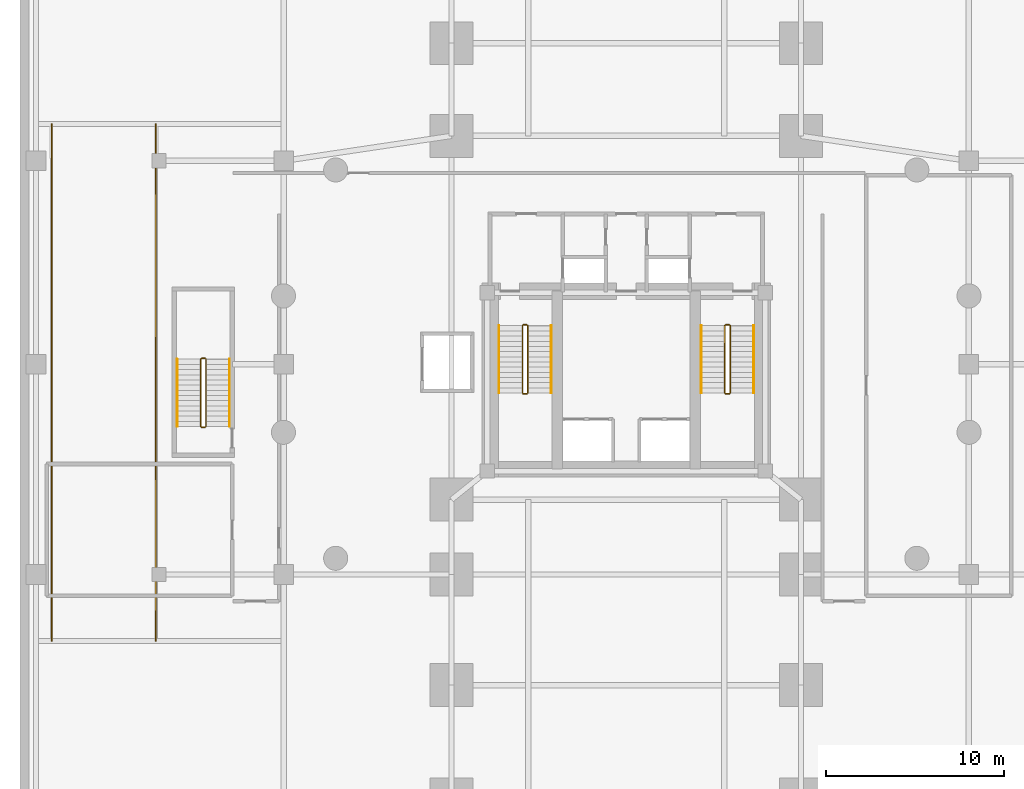
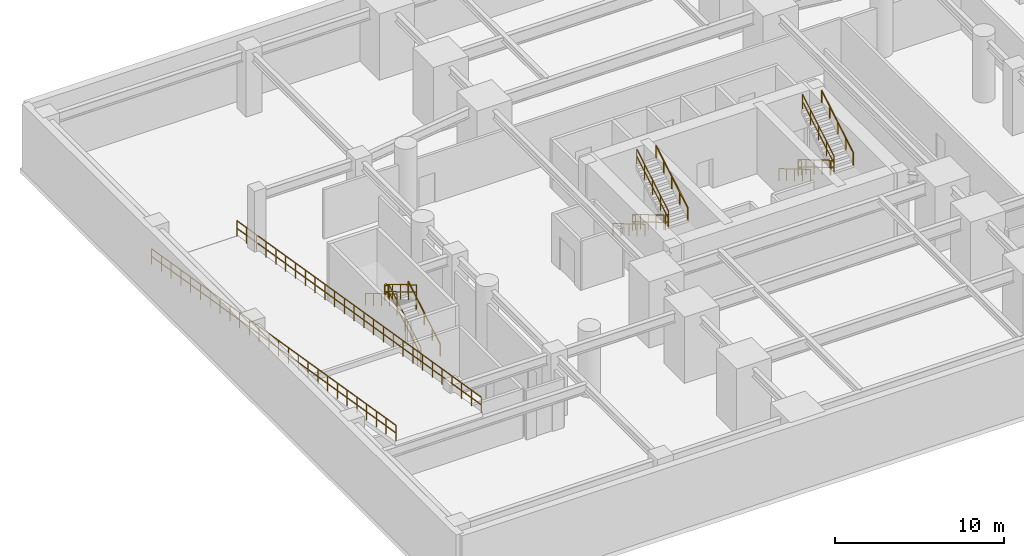
# One storey, part 6 of 7: 20 railings.
"""IFC4 building model written with IfcOpenShell, lengths in metres."""

from ifc_helpers import new_model, si_unit, direction, frame, origin, origin_2d, place, context, subcontext, project, spatial, rectangle, extrude, material, type_object, element, save


model = new_model("IFC4")

# Units and contexts
model_context = context("Model", 3, precision=1e-05, world=origin(), true_north=direction((0.0, 1.0)))
body_context = subcontext(model_context, "Body", "Model", "MODEL_VIEW")
ifc_project = project(units=[si_unit("LENGTHUNIT", "METRE"), si_unit("AREAUNIT", "SQUARE_METRE"), si_unit("VOLUMEUNIT", "CUBIC_METRE"), si_unit("PLANEANGLEUNIT", "RADIAN"), si_unit("MASSUNIT", "GRAM", prefix="KILO"), si_unit("THERMODYNAMICTEMPERATUREUNIT", "KELVIN"), si_unit("POWERUNIT", "WATT")], contexts=[model_context])

# Site, building, storey
site_placement = place(None, origin())
site = spatial("IfcSite", under=ifc_project, at=site_placement, CompositionType="ELEMENT")
building_placement = place(site_placement, origin())
building = spatial("IfcBuilding", under=site, at=building_placement, Name="Ocrelia Relay Tower", CompositionType="ELEMENT")
storey_placement = place(building_placement, frame((0.0, 0.0, -4.800048828125)))
storey = spatial("IfcBuildingStorey", under=building, at=storey_placement, Name="B1", CompositionType="ELEMENT", Elevation=-4.800048828125)

# Railings
ifc_material_1 = material(Name="Steel S355 atrium balustrade", Category="steel")
railing_type_1 = type_object("IfcRailingType", Name="RL-INT-GUARD-115", PredefinedType="GUARDRAIL", material=ifc_material_1)
railing_1_placement = place(storey_placement, frame((1.780029296875, 39.469970703125, 0.0)))
element("IfcRailing", 1, at=railing_1_placement, inside=storey, type_object=railing_type_1, Name="B1 Vehicle Ramp Curb Guard W", PredefinedType="GUARDRAIL", context=body_context, shape_type="SweptSolid", body=[
    extrude(rectangle(XDim=0.048095703125, YDim=0.048095703125, at=origin_2d()), frame((0.0, 0.0, 1.1259765625), z_axis=(0.0, -0.986576930502, 0.163297153073), x_axis=(1.0, 0.0, 0.0)), (0.0, 0.0, 1.0), 29.39453125),
    extrude(rectangle(XDim=0.048095703125, YDim=0.048095703125, at=origin_2d()), frame((0.0, 0.0, 0.574951171875), z_axis=(0.0, -0.986576930502, 0.163297153073), x_axis=(1.0, 0.0, 0.0)), (0.0, 0.0, 1.0), 29.39453125),
    extrude(rectangle(XDim=0.0419921875, YDim=0.0419921875, at=origin_2d()), origin(), (0.0, 0.0, 1.0), 1.101806640625),
    extrude(rectangle(XDim=0.0419921875, YDim=0.0419921875, at=origin_2d()), frame((0.0, -1.159912109375, 0.19189453125)), (0.0, 0.0, 1.0), 1.101806640625),
    extrude(rectangle(XDim=0.0419921875, YDim=0.0419921875, at=origin_2d()), frame((0.0, -2.320068359375, 0.384033203125)), (0.0, 0.0, 1.0), 1.101806640625),
    extrude(rectangle(XDim=0.0419921875, YDim=0.0419921875, at=origin_2d()), frame((0.0, -3.47998046875, 0.575927734375)), (0.0, 0.0, 1.0), 1.101806640625),
    extrude(rectangle(XDim=0.0419921875, YDim=0.0419921875, at=origin_2d()), frame((0.0, -4.639892578125, 0.76806640625)), (0.0, 0.0, 1.0), 1.101806640625),
    extrude(rectangle(XDim=0.0419921875, YDim=0.0419921875, at=origin_2d()), frame((0.0, -5.800048828125, 0.9599609375)), (0.0, 0.0, 1.0), 1.101806640625),
    extrude(rectangle(XDim=0.0419921875, YDim=0.0419921875, at=origin_2d()), frame((0.0, -6.9599609375, 1.152099609375)), (0.0, 0.0, 1.0), 1.101806640625),
    extrude(rectangle(XDim=0.0419921875, YDim=0.0419921875, at=origin_2d()), frame((0.0, -8.1201171875, 1.343994140625)), (0.0, 0.0, 1.0), 1.101806640625),
    extrude(rectangle(XDim=0.0419921875, YDim=0.0419921875, at=origin_2d()), frame((0.0, -9.280029296875, 1.5361328125)), (0.0, 0.0, 1.0), 1.101806640625),
    extrude(rectangle(XDim=0.0419921875, YDim=0.0419921875, at=origin_2d()), frame((0.0, -10.43994140625, 1.72802734375)), (0.0, 0.0, 1.0), 1.101806640625),
    extrude(rectangle(XDim=0.0419921875, YDim=0.0419921875, at=origin_2d()), frame((0.0, -11.60009765625, 1.919921875)), (0.0, 0.0, 1.0), 1.101806640625),
    extrude(rectangle(XDim=0.0419921875, YDim=0.0419921875, at=origin_2d()), frame((0.0, -12.760009765625, 2.112060546875)), (0.0, 0.0, 1.0), 1.101806640625),
    extrude(rectangle(XDim=0.0419921875, YDim=0.0419921875, at=origin_2d()), frame((0.0, -13.919921875, 2.303955078125)), (0.0, 0.0, 1.0), 1.101806640625),
    extrude(rectangle(XDim=0.0419921875, YDim=0.0419921875, at=origin_2d()), frame((0.0, -15.080078125, 2.49609375)), (0.0, 0.0, 1.0), 1.101806640625),
    extrude(rectangle(XDim=0.0419921875, YDim=0.0419921875, at=origin_2d()), frame((0.0, -16.239990234375, 2.68798828125)), (0.0, 0.0, 1.0), 1.101806640625),
    extrude(rectangle(XDim=0.0419921875, YDim=0.0419921875, at=origin_2d()), frame((0.0, -17.39990234375, 2.880126953125)), (0.0, 0.0, 1.0), 1.101806640625),
    extrude(rectangle(XDim=0.0419921875, YDim=0.0419921875, at=origin_2d()), frame((0.0, -18.56005859375, 3.072021484375)), (0.0, 0.0, 1.0), 1.101806640625),
    extrude(rectangle(XDim=0.0419921875, YDim=0.0419921875, at=origin_2d()), frame((0.0, -19.719970703125, 3.263916015625)), (0.0, 0.0, 1.0), 1.101806640625),
    extrude(rectangle(XDim=0.0419921875, YDim=0.0419921875, at=origin_2d()), frame((0.0, -20.8798828125, 3.4560546875)), (0.0, 0.0, 1.0), 1.101806640625),
    extrude(rectangle(XDim=0.0419921875, YDim=0.0419921875, at=origin_2d()), frame((0.0, -22.0400390625, 3.64794921875)), (0.0, 0.0, 1.0), 1.101806640625),
    extrude(rectangle(XDim=0.0419921875, YDim=0.0419921875, at=origin_2d()), frame((0.0, -23.199951171875, 3.840087890625)), (0.0, 0.0, 1.0), 1.101806640625),
    extrude(rectangle(XDim=0.0419921875, YDim=0.0419921875, at=origin_2d()), frame((0.0, -24.360107421875, 4.031982421875)), (0.0, 0.0, 1.0), 1.101806640625),
    extrude(rectangle(XDim=0.0419921875, YDim=0.0419921875, at=origin_2d()), frame((0.0, -25.52001953125, 4.22412109375)), (0.0, 0.0, 1.0), 1.101806640625),
    extrude(rectangle(XDim=0.0419921875, YDim=0.0419921875, at=origin_2d()), frame((0.0, -26.679931640625, 4.416015625)), (0.0, 0.0, 1.0), 1.101806640625),
    extrude(rectangle(XDim=0.0419921875, YDim=0.0419921875, at=origin_2d()), frame((0.0, -27.840087890625, 4.608154296875)), (0.0, 0.0, 1.0), 1.101806640625),
    extrude(rectangle(XDim=0.0419921875, YDim=0.0419921875, at=origin_2d()), frame((0.0, -29.0, 4.800048828125)), (0.0, 0.0, 1.0), 1.101806640625),
])
railing_2_placement = place(storey_placement, frame((7.6201171875, 39.469970703125, 0.0)))
element("IfcRailing", 2, at=railing_2_placement, inside=storey, type_object=railing_type_1, Name="B1 Vehicle Ramp Curb Guard E", PredefinedType="GUARDRAIL", context=body_context, shape_type="SweptSolid", body=[
    extrude(rectangle(XDim=0.048095703125, YDim=0.048095703125, at=origin_2d()), frame((0.0, 0.0, 1.1259765625), z_axis=(0.0, -0.986576930502, 0.163297153073), x_axis=(1.0, 0.0, 0.0)), (0.0, 0.0, 1.0), 29.39453125),
    extrude(rectangle(XDim=0.048095703125, YDim=0.048095703125, at=origin_2d()), frame((0.0, 0.0, 0.574951171875), z_axis=(0.0, -0.986576930502, 0.163297153073), x_axis=(1.0, 0.0, 0.0)), (0.0, 0.0, 1.0), 29.39453125),
    extrude(rectangle(XDim=0.0419921875, YDim=0.0419921875, at=origin_2d()), origin(), (0.0, 0.0, 1.0), 1.101806640625),
    extrude(rectangle(XDim=0.0419921875, YDim=0.0419921875, at=origin_2d()), frame((0.0, -1.159912109375, 0.19189453125)), (0.0, 0.0, 1.0), 1.101806640625),
    extrude(rectangle(XDim=0.0419921875, YDim=0.0419921875, at=origin_2d()), frame((0.0, -2.320068359375, 0.384033203125)), (0.0, 0.0, 1.0), 1.101806640625),
    extrude(rectangle(XDim=0.0419921875, YDim=0.0419921875, at=origin_2d()), frame((0.0, -3.47998046875, 0.575927734375)), (0.0, 0.0, 1.0), 1.101806640625),
    extrude(rectangle(XDim=0.0419921875, YDim=0.0419921875, at=origin_2d()), frame((0.0, -4.639892578125, 0.76806640625)), (0.0, 0.0, 1.0), 1.101806640625),
    extrude(rectangle(XDim=0.0419921875, YDim=0.0419921875, at=origin_2d()), frame((0.0, -5.800048828125, 0.9599609375)), (0.0, 0.0, 1.0), 1.101806640625),
    extrude(rectangle(XDim=0.0419921875, YDim=0.0419921875, at=origin_2d()), frame((0.0, -6.9599609375, 1.152099609375)), (0.0, 0.0, 1.0), 1.101806640625),
    extrude(rectangle(XDim=0.0419921875, YDim=0.0419921875, at=origin_2d()), frame((0.0, -8.1201171875, 1.343994140625)), (0.0, 0.0, 1.0), 1.101806640625),
    extrude(rectangle(XDim=0.0419921875, YDim=0.0419921875, at=origin_2d()), frame((0.0, -9.280029296875, 1.5361328125)), (0.0, 0.0, 1.0), 1.101806640625),
    extrude(rectangle(XDim=0.0419921875, YDim=0.0419921875, at=origin_2d()), frame((0.0, -10.43994140625, 1.72802734375)), (0.0, 0.0, 1.0), 1.101806640625),
    extrude(rectangle(XDim=0.0419921875, YDim=0.0419921875, at=origin_2d()), frame((0.0, -11.60009765625, 1.919921875)), (0.0, 0.0, 1.0), 1.101806640625),
    extrude(rectangle(XDim=0.0419921875, YDim=0.0419921875, at=origin_2d()), frame((0.0, -12.760009765625, 2.112060546875)), (0.0, 0.0, 1.0), 1.101806640625),
    extrude(rectangle(XDim=0.0419921875, YDim=0.0419921875, at=origin_2d()), frame((0.0, -13.919921875, 2.303955078125)), (0.0, 0.0, 1.0), 1.101806640625),
    extrude(rectangle(XDim=0.0419921875, YDim=0.0419921875, at=origin_2d()), frame((0.0, -15.080078125, 2.49609375)), (0.0, 0.0, 1.0), 1.101806640625),
    extrude(rectangle(XDim=0.0419921875, YDim=0.0419921875, at=origin_2d()), frame((0.0, -16.239990234375, 2.68798828125)), (0.0, 0.0, 1.0), 1.101806640625),
    extrude(rectangle(XDim=0.0419921875, YDim=0.0419921875, at=origin_2d()), frame((0.0, -17.39990234375, 2.880126953125)), (0.0, 0.0, 1.0), 1.101806640625),
    extrude(rectangle(XDim=0.0419921875, YDim=0.0419921875, at=origin_2d()), frame((0.0, -18.56005859375, 3.072021484375)), (0.0, 0.0, 1.0), 1.101806640625),
    extrude(rectangle(XDim=0.0419921875, YDim=0.0419921875, at=origin_2d()), frame((0.0, -19.719970703125, 3.263916015625)), (0.0, 0.0, 1.0), 1.101806640625),
    extrude(rectangle(XDim=0.0419921875, YDim=0.0419921875, at=origin_2d()), frame((0.0, -20.8798828125, 3.4560546875)), (0.0, 0.0, 1.0), 1.101806640625),
    extrude(rectangle(XDim=0.0419921875, YDim=0.0419921875, at=origin_2d()), frame((0.0, -22.0400390625, 3.64794921875)), (0.0, 0.0, 1.0), 1.101806640625),
    extrude(rectangle(XDim=0.0419921875, YDim=0.0419921875, at=origin_2d()), frame((0.0, -23.199951171875, 3.840087890625)), (0.0, 0.0, 1.0), 1.101806640625),
    extrude(rectangle(XDim=0.0419921875, YDim=0.0419921875, at=origin_2d()), frame((0.0, -24.360107421875, 4.031982421875)), (0.0, 0.0, 1.0), 1.101806640625),
    extrude(rectangle(XDim=0.0419921875, YDim=0.0419921875, at=origin_2d()), frame((0.0, -25.52001953125, 4.22412109375)), (0.0, 0.0, 1.0), 1.101806640625),
    extrude(rectangle(XDim=0.0419921875, YDim=0.0419921875, at=origin_2d()), frame((0.0, -26.679931640625, 4.416015625)), (0.0, 0.0, 1.0), 1.101806640625),
    extrude(rectangle(XDim=0.0419921875, YDim=0.0419921875, at=origin_2d()), frame((0.0, -27.840087890625, 4.608154296875)), (0.0, 0.0, 1.0), 1.101806640625),
    extrude(rectangle(XDim=0.0419921875, YDim=0.0419921875, at=origin_2d()), frame((0.0, -29.0, 4.800048828125)), (0.0, 0.0, 1.0), 1.101806640625),
])
ifc_material_2 = material(Name="Steel S355 balustrade", Category="steel")
railing_type_2 = type_object("IfcRailingType", Name="RL-STAIR-GUARD", PredefinedType="GUARDRAIL", material=ifc_material_2)
railing_3_placement = place(storey_placement, frame((28.179931640625, 28.14990234375, 0.17138671875)))
element("IfcRailing", 3, at=railing_3_placement, inside=storey, type_object=railing_type_2, Name="B1 ST1 stair guard 1", PredefinedType="GUARDRAIL", context=body_context, shape_type="SweptSolid", body=[
    extrude(rectangle(XDim=0.048095703125, YDim=0.048095703125, at=origin_2d()), frame((0.0, 0.0, 1.076171875), z_axis=(0.0, -0.860824410104, 0.508902087802), x_axis=(1.0, 0.0, 0.0)), (0.0, 0.0, 1.0), 4.379638671875),
    extrude(rectangle(XDim=0.048095703125, YDim=0.048095703125, at=origin_2d()), frame((0.0, 0.0, 0.550048828125), z_axis=(0.0, -0.860824410104, 0.508902087802), x_axis=(1.0, 0.0, 0.0)), (0.0, 0.0, 1.0), 4.379638671875),
    extrude(rectangle(XDim=0.0419921875, YDim=0.0419921875, at=origin_2d()), origin(), (0.0, 0.0, 1.0), 1.052001953125),
    extrude(rectangle(XDim=0.0419921875, YDim=0.0419921875, at=origin_2d()), frame((0.0, -0.9423828125, 0.55712890625)), (0.0, 0.0, 1.0), 1.052001953125),
    extrude(rectangle(XDim=0.0419921875, YDim=0.0419921875, at=origin_2d()), frame((0.0, -1.885009765625, 1.1142578125)), (0.0, 0.0, 1.0), 1.052001953125),
    extrude(rectangle(XDim=0.0419921875, YDim=0.0419921875, at=origin_2d()), frame((0.0, -2.82763671875, 1.671630859375)), (0.0, 0.0, 1.0), 1.052001953125),
    extrude(rectangle(XDim=0.0419921875, YDim=0.0419921875, at=origin_2d()), frame((0.0, -3.77001953125, 2.228759765625)), (0.0, 0.0, 1.0), 1.052001953125),
])
railing_4_placement = place(storey_placement, frame((28.22998046875, 24.330078125, 2.400146484375)))
element("IfcRailing", 4, at=railing_4_placement, inside=storey, type_object=railing_type_2, Name="B1 ST1 stair guard 2", PredefinedType="GUARDRAIL", context=body_context, shape_type="SweptSolid", body=[
    extrude(rectangle(XDim=0.048095703125, YDim=0.048095703125, at=origin_2d()), frame((0.0, 0.0, 1.076171875), z_axis=(1.0, 0.0, 0.0), x_axis=(0.0, 1.0, 0.0)), (0.0, 0.0, 1.0), 0.199951171875),
    extrude(rectangle(XDim=0.048095703125, YDim=0.048095703125, at=origin_2d()), frame((0.0, 0.0, 0.550048828125), z_axis=(1.0, 0.0, 0.0), x_axis=(0.0, 1.0, 0.0)), (0.0, 0.0, 1.0), 0.199951171875),
    extrude(rectangle(XDim=0.0419921875, YDim=0.0419921875, at=origin_2d()), origin(), (0.0, 0.0, 1.0), 1.052001953125),
    extrude(rectangle(XDim=0.0419921875, YDim=0.0419921875, at=origin_2d()), frame((0.199951171875, 0.0, 0.0)), (0.0, 0.0, 1.0), 1.052001953125),
])
railing_5_placement = place(storey_placement, frame((28.47998046875, 24.3798828125, 2.571533203125)))
element("IfcRailing", 5, at=railing_5_placement, inside=storey, type_object=railing_type_2, Name="B1 ST1 stair guard 3", PredefinedType="GUARDRAIL", context=body_context, shape_type="SweptSolid", body=[
    extrude(rectangle(XDim=0.048095703125, YDim=0.048095703125, at=origin_2d()), frame((0.0, 0.0, 1.076171875), z_axis=(0.0, 0.860848830602, 0.508860777473), x_axis=(-1.0, 0.0, 0.0)), (0.0, 0.0, 1.0), 4.37939453125),
    extrude(rectangle(XDim=0.048095703125, YDim=0.048095703125, at=origin_2d()), frame((0.0, 0.0, 0.550048828125), z_axis=(0.0, 0.860848830602, 0.508860777473), x_axis=(-1.0, 0.0, 0.0)), (0.0, 0.0, 1.0), 4.37939453125),
    extrude(rectangle(XDim=0.0419921875, YDim=0.0419921875, at=origin_2d()), origin(), (0.0, 0.0, 1.0), 1.052001953125),
    extrude(rectangle(XDim=0.0419921875, YDim=0.0419921875, at=origin_2d()), frame((0.0, 0.9423828125, 0.55712890625)), (0.0, 0.0, 1.0), 1.052001953125),
    extrude(rectangle(XDim=0.0419921875, YDim=0.0419921875, at=origin_2d()), frame((0.0, 1.885009765625, 1.1142578125)), (0.0, 0.0, 1.0), 1.052001953125),
    extrude(rectangle(XDim=0.0419921875, YDim=0.0419921875, at=origin_2d()), frame((0.0, 2.82763671875, 1.67138671875)), (0.0, 0.0, 1.0), 1.052001953125),
    extrude(rectangle(XDim=0.0419921875, YDim=0.0419921875, at=origin_2d()), frame((0.0, 3.77001953125, 2.228515625)), (0.0, 0.0, 1.0), 1.052001953125),
])
railing_6_placement = place(storey_placement, frame((28.22998046875, 28.199951171875, 0.0)))
element("IfcRailing", 6, at=railing_6_placement, inside=storey, type_object=railing_type_2, Name="B1 ST1 stair guard 4", PredefinedType="GUARDRAIL", context=body_context, shape_type="SweptSolid", body=[
    extrude(rectangle(XDim=0.048095703125, YDim=0.048095703125, at=origin_2d()), frame((0.0, 0.0, 1.076171875), z_axis=(1.0, 0.0, 0.0), x_axis=(0.0, 1.0, 0.0)), (0.0, 0.0, 1.0), 0.199951171875),
    extrude(rectangle(XDim=0.048095703125, YDim=0.048095703125, at=origin_2d()), frame((0.0, 0.0, 0.550048828125), z_axis=(1.0, 0.0, 0.0), x_axis=(0.0, 1.0, 0.0)), (0.0, 0.0, 1.0), 0.199951171875),
    extrude(rectangle(XDim=0.0419921875, YDim=0.0419921875, at=origin_2d()), origin(), (0.0, 0.0, 1.0), 1.052001953125),
    extrude(rectangle(XDim=0.0419921875, YDim=0.0419921875, at=origin_2d()), frame((0.199951171875, 0.0, 0.0)), (0.0, 0.0, 1.0), 1.052001953125),
])
railing_7_placement = place(storey_placement, frame((39.530029296875, 28.14990234375, 0.17138671875)))
element("IfcRailing", 7, at=railing_7_placement, inside=storey, type_object=railing_type_2, Name="B1 ST2 stair guard 1", PredefinedType="GUARDRAIL", context=body_context, shape_type="SweptSolid", body=[
    extrude(rectangle(XDim=0.048095703125, YDim=0.048095703125, at=origin_2d()), frame((0.0, 0.0, 1.076171875), z_axis=(0.0, -0.860824410104, 0.508902087802), x_axis=(1.0, 0.0, 0.0)), (0.0, 0.0, 1.0), 4.379638671875),
    extrude(rectangle(XDim=0.048095703125, YDim=0.048095703125, at=origin_2d()), frame((0.0, 0.0, 0.550048828125), z_axis=(0.0, -0.860824410104, 0.508902087802), x_axis=(1.0, 0.0, 0.0)), (0.0, 0.0, 1.0), 4.379638671875),
    extrude(rectangle(XDim=0.0419921875, YDim=0.0419921875, at=origin_2d()), origin(), (0.0, 0.0, 1.0), 1.052001953125),
    extrude(rectangle(XDim=0.0419921875, YDim=0.0419921875, at=origin_2d()), frame((0.0, -0.9423828125, 0.55712890625)), (0.0, 0.0, 1.0), 1.052001953125),
    extrude(rectangle(XDim=0.0419921875, YDim=0.0419921875, at=origin_2d()), frame((0.0, -1.885009765625, 1.1142578125)), (0.0, 0.0, 1.0), 1.052001953125),
    extrude(rectangle(XDim=0.0419921875, YDim=0.0419921875, at=origin_2d()), frame((0.0, -2.82763671875, 1.671630859375)), (0.0, 0.0, 1.0), 1.052001953125),
    extrude(rectangle(XDim=0.0419921875, YDim=0.0419921875, at=origin_2d()), frame((0.0, -3.77001953125, 2.228759765625)), (0.0, 0.0, 1.0), 1.052001953125),
])
railing_8_placement = place(storey_placement, frame((39.580078125, 24.330078125, 2.400146484375)))
element("IfcRailing", 8, at=railing_8_placement, inside=storey, type_object=railing_type_2, Name="B1 ST2 stair guard 2", PredefinedType="GUARDRAIL", context=body_context, shape_type="SweptSolid", body=[
    extrude(rectangle(XDim=0.048095703125, YDim=0.048095703125, at=origin_2d()), frame((0.0, 0.0, 1.076171875), z_axis=(1.0, 0.0, 0.0), x_axis=(0.0, 1.0, 0.0)), (0.0, 0.0, 1.0), 0.199951171875),
    extrude(rectangle(XDim=0.048095703125, YDim=0.048095703125, at=origin_2d()), frame((0.0, 0.0, 0.550048828125), z_axis=(1.0, 0.0, 0.0), x_axis=(0.0, 1.0, 0.0)), (0.0, 0.0, 1.0), 0.199951171875),
    extrude(rectangle(XDim=0.0419921875, YDim=0.0419921875, at=origin_2d()), origin(), (0.0, 0.0, 1.0), 1.052001953125),
    extrude(rectangle(XDim=0.0419921875, YDim=0.0419921875, at=origin_2d()), frame((0.199951171875, 0.0, 0.0)), (0.0, 0.0, 1.0), 1.052001953125),
])
railing_9_placement = place(storey_placement, frame((39.830078125, 24.3798828125, 2.571533203125)))
element("IfcRailing", 9, at=railing_9_placement, inside=storey, type_object=railing_type_2, Name="B1 ST2 stair guard 3", PredefinedType="GUARDRAIL", context=body_context, shape_type="SweptSolid", body=[
    extrude(rectangle(XDim=0.048095703125, YDim=0.048095703125, at=origin_2d()), frame((0.0, 0.0, 1.076171875), z_axis=(0.0, 0.860848830602, 0.508860777473), x_axis=(-1.0, 0.0, 0.0)), (0.0, 0.0, 1.0), 4.37939453125),
    extrude(rectangle(XDim=0.048095703125, YDim=0.048095703125, at=origin_2d()), frame((0.0, 0.0, 0.550048828125), z_axis=(0.0, 0.860848830602, 0.508860777473), x_axis=(-1.0, 0.0, 0.0)), (0.0, 0.0, 1.0), 4.37939453125),
    extrude(rectangle(XDim=0.0419921875, YDim=0.0419921875, at=origin_2d()), origin(), (0.0, 0.0, 1.0), 1.052001953125),
    extrude(rectangle(XDim=0.0419921875, YDim=0.0419921875, at=origin_2d()), frame((0.0, 0.9423828125, 0.55712890625)), (0.0, 0.0, 1.0), 1.052001953125),
    extrude(rectangle(XDim=0.0419921875, YDim=0.0419921875, at=origin_2d()), frame((0.0, 1.885009765625, 1.1142578125)), (0.0, 0.0, 1.0), 1.052001953125),
    extrude(rectangle(XDim=0.0419921875, YDim=0.0419921875, at=origin_2d()), frame((0.0, 2.82763671875, 1.67138671875)), (0.0, 0.0, 1.0), 1.052001953125),
    extrude(rectangle(XDim=0.0419921875, YDim=0.0419921875, at=origin_2d()), frame((0.0, 3.77001953125, 2.228515625)), (0.0, 0.0, 1.0), 1.052001953125),
])
railing_10_placement = place(storey_placement, frame((39.580078125, 28.199951171875, 0.0)))
element("IfcRailing", 10, at=railing_10_placement, inside=storey, type_object=railing_type_2, Name="B1 ST2 stair guard 4", PredefinedType="GUARDRAIL", context=body_context, shape_type="SweptSolid", body=[
    extrude(rectangle(XDim=0.048095703125, YDim=0.048095703125, at=origin_2d()), frame((0.0, 0.0, 1.076171875), z_axis=(1.0, 0.0, 0.0), x_axis=(0.0, 1.0, 0.0)), (0.0, 0.0, 1.0), 0.199951171875),
    extrude(rectangle(XDim=0.048095703125, YDim=0.048095703125, at=origin_2d()), frame((0.0, 0.0, 0.550048828125), z_axis=(1.0, 0.0, 0.0), x_axis=(0.0, 1.0, 0.0)), (0.0, 0.0, 1.0), 0.199951171875),
    extrude(rectangle(XDim=0.0419921875, YDim=0.0419921875, at=origin_2d()), origin(), (0.0, 0.0, 1.0), 1.052001953125),
    extrude(rectangle(XDim=0.0419921875, YDim=0.0419921875, at=origin_2d()), frame((0.199951171875, 0.0, 0.0)), (0.0, 0.0, 1.0), 1.052001953125),
])
railing_11_placement = place(storey_placement, frame((10.429931640625, 22.5, 0.17138671875)))
element("IfcRailing", 11, at=railing_11_placement, inside=storey, type_object=railing_type_2, Name="B1 ST3 stair guard 1", PredefinedType="GUARDRAIL", context=body_context, shape_type="SweptSolid", body=[
    extrude(rectangle(XDim=0.048095703125, YDim=0.048095703125, at=origin_2d()), frame((0.0, 0.0, 1.076171875), z_axis=(0.0, 0.860824410104, 0.508902087802), x_axis=(-1.0, 0.0, 0.0)), (0.0, 0.0, 1.0), 4.379638671875),
    extrude(rectangle(XDim=0.048095703125, YDim=0.048095703125, at=origin_2d()), frame((0.0, 0.0, 0.550048828125), z_axis=(0.0, 0.860824410104, 0.508902087802), x_axis=(-1.0, 0.0, 0.0)), (0.0, 0.0, 1.0), 4.379638671875),
    extrude(rectangle(XDim=0.0419921875, YDim=0.0419921875, at=origin_2d()), origin(), (0.0, 0.0, 1.0), 1.052001953125),
    extrude(rectangle(XDim=0.0419921875, YDim=0.0419921875, at=origin_2d()), frame((0.0, 0.9423828125, 0.55712890625)), (0.0, 0.0, 1.0), 1.052001953125),
    extrude(rectangle(XDim=0.0419921875, YDim=0.0419921875, at=origin_2d()), frame((0.0, 1.885009765625, 1.1142578125)), (0.0, 0.0, 1.0), 1.052001953125),
    extrude(rectangle(XDim=0.0419921875, YDim=0.0419921875, at=origin_2d()), frame((0.0, 2.82763671875, 1.671630859375)), (0.0, 0.0, 1.0), 1.052001953125),
    extrude(rectangle(XDim=0.0419921875, YDim=0.0419921875, at=origin_2d()), frame((0.0, 3.77001953125, 2.228759765625)), (0.0, 0.0, 1.0), 1.052001953125),
])
railing_12_placement = place(storey_placement, frame((10.3798828125, 26.320068359375, 2.400146484375)))
element("IfcRailing", 12, at=railing_12_placement, inside=storey, type_object=railing_type_2, Name="B1 ST3 stair guard 2", PredefinedType="GUARDRAIL", context=body_context, shape_type="SweptSolid", body=[
    extrude(rectangle(XDim=0.048095703125, YDim=0.048095703125, at=origin_2d()), frame((0.0, 0.0, 1.076171875), z_axis=(-1.0, 0.0, 0.0), x_axis=(0.0, -1.0, 0.0)), (0.0, 0.0, 1.0), 0.199951171875),
    extrude(rectangle(XDim=0.048095703125, YDim=0.048095703125, at=origin_2d()), frame((0.0, 0.0, 0.550048828125), z_axis=(-1.0, 0.0, 0.0), x_axis=(0.0, -1.0, 0.0)), (0.0, 0.0, 1.0), 0.199951171875),
    extrude(rectangle(XDim=0.0419921875, YDim=0.0419921875, at=origin_2d()), origin(), (0.0, 0.0, 1.0), 1.052001953125),
    extrude(rectangle(XDim=0.0419921875, YDim=0.0419921875, at=origin_2d()), frame((-0.199951171875, 0.0, 0.0)), (0.0, 0.0, 1.0), 1.052001953125),
])
railing_13_placement = place(storey_placement, frame((10.1298828125, 26.27001953125, 2.571533203125)))
element("IfcRailing", 13, at=railing_13_placement, inside=storey, type_object=railing_type_2, Name="B1 ST3 stair guard 3", PredefinedType="GUARDRAIL", context=body_context, shape_type="SweptSolid", body=[
    extrude(rectangle(XDim=0.048095703125, YDim=0.048095703125, at=origin_2d()), frame((0.0, 0.0, 1.076171875), z_axis=(0.0, -0.860848830602, 0.508860777473), x_axis=(1.0, 0.0, 0.0)), (0.0, 0.0, 1.0), 4.37939453125),
    extrude(rectangle(XDim=0.048095703125, YDim=0.048095703125, at=origin_2d()), frame((0.0, 0.0, 0.550048828125), z_axis=(0.0, -0.860848830602, 0.508860777473), x_axis=(1.0, 0.0, 0.0)), (0.0, 0.0, 1.0), 4.37939453125),
    extrude(rectangle(XDim=0.0419921875, YDim=0.0419921875, at=origin_2d()), origin(), (0.0, 0.0, 1.0), 1.052001953125),
    extrude(rectangle(XDim=0.0419921875, YDim=0.0419921875, at=origin_2d()), frame((0.0, -0.9423828125, 0.55712890625)), (0.0, 0.0, 1.0), 1.052001953125),
    extrude(rectangle(XDim=0.0419921875, YDim=0.0419921875, at=origin_2d()), frame((0.0, -1.885009765625, 1.1142578125)), (0.0, 0.0, 1.0), 1.052001953125),
    extrude(rectangle(XDim=0.0419921875, YDim=0.0419921875, at=origin_2d()), frame((0.0, -2.82763671875, 1.67138671875)), (0.0, 0.0, 1.0), 1.052001953125),
    extrude(rectangle(XDim=0.0419921875, YDim=0.0419921875, at=origin_2d()), frame((0.0, -3.77001953125, 2.228515625)), (0.0, 0.0, 1.0), 1.052001953125),
])
railing_14_placement = place(storey_placement, frame((10.3798828125, 22.449951171875, 0.0)))
element("IfcRailing", 14, at=railing_14_placement, inside=storey, type_object=railing_type_2, Name="B1 ST3 stair guard 4", PredefinedType="GUARDRAIL", context=body_context, shape_type="SweptSolid", body=[
    extrude(rectangle(XDim=0.048095703125, YDim=0.048095703125, at=origin_2d()), frame((0.0, 0.0, 1.076171875), z_axis=(-1.0, 0.0, 0.0), x_axis=(0.0, -1.0, 0.0)), (0.0, 0.0, 1.0), 0.199951171875),
    extrude(rectangle(XDim=0.048095703125, YDim=0.048095703125, at=origin_2d()), frame((0.0, 0.0, 0.550048828125), z_axis=(-1.0, 0.0, 0.0), x_axis=(0.0, -1.0, 0.0)), (0.0, 0.0, 1.0), 0.199951171875),
    extrude(rectangle(XDim=0.0419921875, YDim=0.0419921875, at=origin_2d()), origin(), (0.0, 0.0, 1.0), 1.052001953125),
    extrude(rectangle(XDim=0.0419921875, YDim=0.0419921875, at=origin_2d()), frame((-0.199951171875, 0.0, 0.0)), (0.0, 0.0, 1.0), 1.052001953125),
])
ifc_material_3 = material(Name="Steel S355 tubular handrail", Category="steel")
railing_type_3 = type_object("IfcRailingType", Name="RL-STAIR-HAND", PredefinedType="HANDRAIL", material=ifc_material_3)
railing_15_placement = place(storey_placement, frame((26.860107421875, 28.14990234375, 0.17138671875)))
element("IfcRailing", 15, at=railing_15_placement, inside=storey, type_object=railing_type_3, Name="B1 ST1 stair handrail 1", PredefinedType="HANDRAIL", context=body_context, shape_type="SweptSolid", body=[
    extrude(rectangle(XDim=0.048095703125, YDim=0.048095703125, at=origin_2d()), frame((0.0, 0.0, 0.8759765625), z_axis=(0.0, -0.860824410104, 0.508902087802), x_axis=(1.0, 0.0, 0.0)), (0.0, 0.0, 1.0), 4.379638671875),
    extrude(rectangle(XDim=0.0419921875, YDim=0.0419921875, at=origin_2d()), origin(), (0.0, 0.0, 1.0), 0.851806640625),
    extrude(rectangle(XDim=0.0419921875, YDim=0.0419921875, at=origin_2d()), frame((0.0, -0.9423828125, 0.55712890625)), (0.0, 0.0, 1.0), 0.851806640625),
    extrude(rectangle(XDim=0.0419921875, YDim=0.0419921875, at=origin_2d()), frame((0.0, -1.885009765625, 1.1142578125)), (0.0, 0.0, 1.0), 0.851806640625),
    extrude(rectangle(XDim=0.0419921875, YDim=0.0419921875, at=origin_2d()), frame((0.0, -2.82763671875, 1.671630859375)), (0.0, 0.0, 1.0), 0.851806640625),
    extrude(rectangle(XDim=0.0419921875, YDim=0.0419921875, at=origin_2d()), frame((0.0, -3.77001953125, 2.228759765625)), (0.0, 0.0, 1.0), 0.851806640625),
])
railing_16_placement = place(storey_placement, frame((29.800048828125, 24.3798828125, 2.571533203125)))
element("IfcRailing", 16, at=railing_16_placement, inside=storey, type_object=railing_type_3, Name="B1 ST1 stair handrail 2", PredefinedType="HANDRAIL", context=body_context, shape_type="SweptSolid", body=[
    extrude(rectangle(XDim=0.048095703125, YDim=0.048095703125, at=origin_2d()), frame((0.0, 0.0, 0.8759765625), z_axis=(0.0, 0.860848830602, 0.508860777473), x_axis=(-1.0, 0.0, 0.0)), (0.0, 0.0, 1.0), 4.37939453125),
    extrude(rectangle(XDim=0.0419921875, YDim=0.0419921875, at=origin_2d()), origin(), (0.0, 0.0, 1.0), 0.851806640625),
    extrude(rectangle(XDim=0.0419921875, YDim=0.0419921875, at=origin_2d()), frame((0.0, 0.9423828125, 0.55712890625)), (0.0, 0.0, 1.0), 0.851806640625),
    extrude(rectangle(XDim=0.0419921875, YDim=0.0419921875, at=origin_2d()), frame((0.0, 1.885009765625, 1.1142578125)), (0.0, 0.0, 1.0), 0.851806640625),
    extrude(rectangle(XDim=0.0419921875, YDim=0.0419921875, at=origin_2d()), frame((0.0, 2.82763671875, 1.67138671875)), (0.0, 0.0, 1.0), 0.851806640625),
    extrude(rectangle(XDim=0.0419921875, YDim=0.0419921875, at=origin_2d()), frame((0.0, 3.77001953125, 2.228515625)), (0.0, 0.0, 1.0), 0.851806640625),
])
railing_17_placement = place(storey_placement, frame((38.2099609375, 28.14990234375, 0.17138671875)))
element("IfcRailing", 17, at=railing_17_placement, inside=storey, type_object=railing_type_3, Name="B1 ST2 stair handrail 1", PredefinedType="HANDRAIL", context=body_context, shape_type="SweptSolid", body=[
    extrude(rectangle(XDim=0.048095703125, YDim=0.048095703125, at=origin_2d()), frame((0.0, 0.0, 0.8759765625), z_axis=(0.0, -0.860824410104, 0.508902087802), x_axis=(1.0, 0.0, 0.0)), (0.0, 0.0, 1.0), 4.379638671875),
    extrude(rectangle(XDim=0.0419921875, YDim=0.0419921875, at=origin_2d()), origin(), (0.0, 0.0, 1.0), 0.851806640625),
    extrude(rectangle(XDim=0.0419921875, YDim=0.0419921875, at=origin_2d()), frame((0.0, -0.9423828125, 0.55712890625)), (0.0, 0.0, 1.0), 0.851806640625),
    extrude(rectangle(XDim=0.0419921875, YDim=0.0419921875, at=origin_2d()), frame((0.0, -1.885009765625, 1.1142578125)), (0.0, 0.0, 1.0), 0.851806640625),
    extrude(rectangle(XDim=0.0419921875, YDim=0.0419921875, at=origin_2d()), frame((0.0, -2.82763671875, 1.671630859375)), (0.0, 0.0, 1.0), 0.851806640625),
    extrude(rectangle(XDim=0.0419921875, YDim=0.0419921875, at=origin_2d()), frame((0.0, -3.77001953125, 2.228759765625)), (0.0, 0.0, 1.0), 0.851806640625),
])
railing_18_placement = place(storey_placement, frame((41.14990234375, 24.3798828125, 2.571533203125)))
element("IfcRailing", 18, at=railing_18_placement, inside=storey, type_object=railing_type_3, Name="B1 ST2 stair handrail 2", PredefinedType="HANDRAIL", context=body_context, shape_type="SweptSolid", body=[
    extrude(rectangle(XDim=0.048095703125, YDim=0.048095703125, at=origin_2d()), frame((0.0, 0.0, 0.8759765625), z_axis=(0.0, 0.860848830602, 0.508860777473), x_axis=(-1.0, 0.0, 0.0)), (0.0, 0.0, 1.0), 4.37939453125),
    extrude(rectangle(XDim=0.0419921875, YDim=0.0419921875, at=origin_2d()), origin(), (0.0, 0.0, 1.0), 0.851806640625),
    extrude(rectangle(XDim=0.0419921875, YDim=0.0419921875, at=origin_2d()), frame((0.0, 0.9423828125, 0.55712890625)), (0.0, 0.0, 1.0), 0.851806640625),
    extrude(rectangle(XDim=0.0419921875, YDim=0.0419921875, at=origin_2d()), frame((0.0, 1.885009765625, 1.1142578125)), (0.0, 0.0, 1.0), 0.851806640625),
    extrude(rectangle(XDim=0.0419921875, YDim=0.0419921875, at=origin_2d()), frame((0.0, 2.82763671875, 1.67138671875)), (0.0, 0.0, 1.0), 0.851806640625),
    extrude(rectangle(XDim=0.0419921875, YDim=0.0419921875, at=origin_2d()), frame((0.0, 3.77001953125, 2.228515625)), (0.0, 0.0, 1.0), 0.851806640625),
])
railing_19_placement = place(storey_placement, frame((11.75, 22.5, 0.17138671875)))
element("IfcRailing", 19, at=railing_19_placement, inside=storey, type_object=railing_type_3, Name="B1 ST3 stair handrail 1", PredefinedType="HANDRAIL", context=body_context, shape_type="SweptSolid", body=[
    extrude(rectangle(XDim=0.048095703125, YDim=0.048095703125, at=origin_2d()), frame((0.0, 0.0, 0.8759765625), z_axis=(0.0, 0.860824410104, 0.508902087802), x_axis=(-1.0, 0.0, 0.0)), (0.0, 0.0, 1.0), 4.379638671875),
    extrude(rectangle(XDim=0.0419921875, YDim=0.0419921875, at=origin_2d()), origin(), (0.0, 0.0, 1.0), 0.851806640625),
    extrude(rectangle(XDim=0.0419921875, YDim=0.0419921875, at=origin_2d()), frame((0.0, 0.9423828125, 0.55712890625)), (0.0, 0.0, 1.0), 0.851806640625),
    extrude(rectangle(XDim=0.0419921875, YDim=0.0419921875, at=origin_2d()), frame((0.0, 1.885009765625, 1.1142578125)), (0.0, 0.0, 1.0), 0.851806640625),
    extrude(rectangle(XDim=0.0419921875, YDim=0.0419921875, at=origin_2d()), frame((0.0, 2.82763671875, 1.671630859375)), (0.0, 0.0, 1.0), 0.851806640625),
    extrude(rectangle(XDim=0.0419921875, YDim=0.0419921875, at=origin_2d()), frame((0.0, 3.77001953125, 2.228759765625)), (0.0, 0.0, 1.0), 0.851806640625),
])
railing_20_placement = place(storey_placement, frame((8.81005859375, 26.27001953125, 2.571533203125)))
element("IfcRailing", 20, at=railing_20_placement, inside=storey, type_object=railing_type_3, Name="B1 ST3 stair handrail 2", PredefinedType="HANDRAIL", context=body_context, shape_type="SweptSolid", body=[
    extrude(rectangle(XDim=0.048095703125, YDim=0.048095703125, at=origin_2d()), frame((0.0, 0.0, 0.8759765625), z_axis=(0.0, -0.860848830602, 0.508860777473), x_axis=(1.0, 0.0, 0.0)), (0.0, 0.0, 1.0), 4.37939453125),
    extrude(rectangle(XDim=0.0419921875, YDim=0.0419921875, at=origin_2d()), origin(), (0.0, 0.0, 1.0), 0.851806640625),
    extrude(rectangle(XDim=0.0419921875, YDim=0.0419921875, at=origin_2d()), frame((0.0, -0.9423828125, 0.55712890625)), (0.0, 0.0, 1.0), 0.851806640625),
    extrude(rectangle(XDim=0.0419921875, YDim=0.0419921875, at=origin_2d()), frame((0.0, -1.885009765625, 1.1142578125)), (0.0, 0.0, 1.0), 0.851806640625),
    extrude(rectangle(XDim=0.0419921875, YDim=0.0419921875, at=origin_2d()), frame((0.0, -2.82763671875, 1.67138671875)), (0.0, 0.0, 1.0), 0.851806640625),
    extrude(rectangle(XDim=0.0419921875, YDim=0.0419921875, at=origin_2d()), frame((0.0, -3.77001953125, 2.228515625)), (0.0, 0.0, 1.0), 0.851806640625),
])

save(model, "model.ifc")
